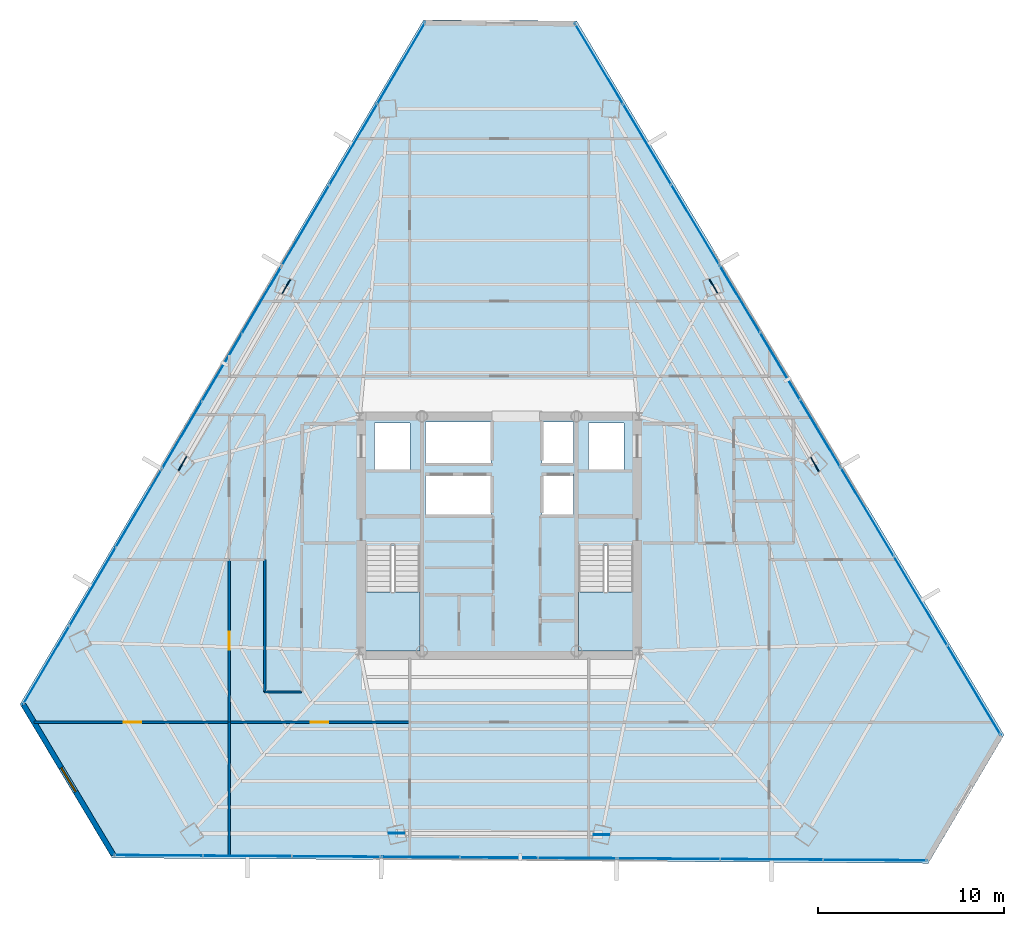
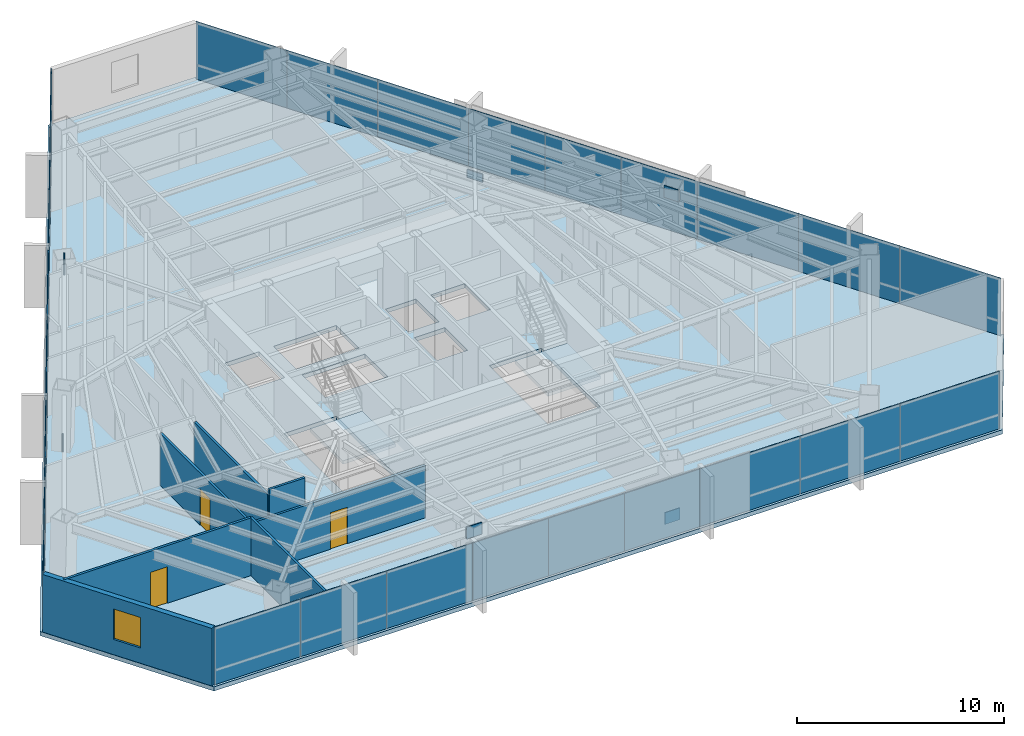
# One storey, part 34 of 41: 33 plates, 7 walls, 3 doors, 3 slabs, 1 window, 4 openings, 11 elements without a shape of their own.
"""IFC4 building model written with IfcOpenShell, lengths in metres."""

from ifc_helpers import new_model, si_unit, direction, frame, frame_2d, origin, origin_2d, place, context, subcontext, project, spatial, polyline, rectangle, outline, extrude, source, transform, mapped, material, layer, layer_set, type_object, type_shapes, element, fill, aggregate, save


model = new_model("IFC4")

# Units and contexts
model_context = context("Model", 3, precision=1e-05, world=origin(), true_north=direction((0.0, 1.0)))
body_context = subcontext(model_context, "Body", "Model", "MODEL_VIEW")
ifc_project = project(units=[si_unit("LENGTHUNIT", "METRE"), si_unit("AREAUNIT", "SQUARE_METRE"), si_unit("VOLUMEUNIT", "CUBIC_METRE"), si_unit("PLANEANGLEUNIT", "RADIAN"), si_unit("MASSUNIT", "GRAM", prefix="KILO")], contexts=[model_context])

# Site, building, storey
site_placement = place(None, origin())
site = spatial("IfcSite", under=ifc_project, at=site_placement, CompositionType="ELEMENT")
building_placement = place(site_placement, origin())
building = spatial("IfcBuilding", under=site, at=building_placement, Name="Caelisora Broadcast Tower", CompositionType="ELEMENT")
storey_placement = place(building_placement, frame((0.0, 0.0, 165.800048828125)))
storey = spatial("IfcBuildingStorey", under=building, at=storey_placement, Name="L43", CompositionType="ELEMENT", Elevation=165.800048828125)

# Slab
ifc_material_1 = material(Name="Concrete 40 MPa (AS 3600 N40)", Category="concrete")
ifc_layer_1 = layer(ifc_material_1, 0.25, Name="Concrete 40 MPa (AS 3600 N40)")
ifc_layer_set_1 = layer_set([ifc_layer_1], Name="Concrete 40 MPa (AS 3600 N40)")
slab_type_1 = type_object("IfcSlabType", Name="SL04", PredefinedType="FLOOR", material=ifc_layer_set_1)
slab_1_placement = place(storey_placement, frame((0.0, 0.0, -0.25)))
element("IfcSlab", 1, at=slab_1_placement, inside=storey, type_object=slab_type_1, Name="L43 suspended floor SL04", PredefinedType="FLOOR", context=body_context, shape_type="SweptSolid", body=[
    extrude(outline(polyline([(42.158935546875, 51.236083984375), (33.93505859375, 51.2900390625), (12.263916015625, 14.5419921875), (17.205078125, 6.2890625), (61.0458984375, 6.0), (65.111083984375, 12.89404296875), (42.158935546875, 51.236083984375)]), holes=[polyline([(30.820068359375, 17.39990234375), (33.739990234375, 17.39990234375), (33.739990234375, 23.080078125), (30.820068359375, 23.080078125), (30.820068359375, 17.39990234375)]), polyline([(42.260009765625, 17.39990234375), (45.179931640625, 17.39990234375), (45.179931640625, 23.080078125), (42.260009765625, 23.080078125), (42.260009765625, 17.39990234375)]), polyline([(42.800048828125, 27.14990234375), (44.699951171875, 27.14990234375), (44.699951171875, 29.64990234375), (42.800048828125, 29.64990234375), (42.800048828125, 27.14990234375)]), polyline([(40.300048828125, 24.719970703125), (42.0, 24.719970703125), (42.0, 26.919921875), (40.300048828125, 26.919921875), (40.300048828125, 24.719970703125)]), polyline([(40.300048828125, 27.5), (42.0, 27.5), (42.0, 29.699951171875), (40.300048828125, 29.699951171875), (40.300048828125, 27.5)]), polyline([(34.050048828125, 24.719970703125), (37.550048828125, 24.719970703125), (37.550048828125, 26.919921875), (34.050048828125, 26.919921875), (34.050048828125, 24.719970703125)]), polyline([(34.050048828125, 27.5), (37.550048828125, 27.5), (37.550048828125, 29.699951171875), (34.050048828125, 29.699951171875), (34.050048828125, 27.5)]), polyline([(31.300048828125, 27.14990234375), (33.199951171875, 27.14990234375), (33.199951171875, 29.64990234375), (31.300048828125, 29.64990234375), (31.300048828125, 27.14990234375)])]), origin(), (0.0, 0.0, 1.0), 0.25),
])

# Stair, slab
stair_type_1 = type_object("IfcStairType", Name="ST-1", PredefinedType="HALF_TURN_STAIR", material=ifc_material_1)
stair_1_placement = place(storey_placement, origin())
stair_1 = element("IfcStair", 2, at=stair_1_placement, inside=storey, type_object=stair_type_1, Name="L43 West Fire-Isolated Tower Stair", PredefinedType="HALF_TURN_STAIR")
ifc_layer_2 = layer(ifc_material_1, 0.199951171875, Name="Concrete 40 MPa (AS 3600 N40)")
ifc_layer_set_2 = layer_set([ifc_layer_2], Name="Concrete 40 MPa (AS 3600 N40)")
slab_type_2 = type_object("IfcSlabType", Name="STL-1", PredefinedType="LANDING", material=ifc_layer_set_2)
slab_2_placement = place(storey_placement, frame((0.0, 0.0, 1.625)))
slab_2 = element("IfcSlab", 3, at=slab_2_placement, type_object=slab_type_2, Name="ST-1 landing 1", PredefinedType="LANDING", context=body_context, shape_type="SweptSolid", body=[
    extrude(outline(polyline([(30.820068359375, 20.580078125), (30.820068359375, 17.39990234375), (33.739990234375, 17.39990234375), (33.739990234375, 20.580078125), (30.820068359375, 20.580078125)])), origin(), (0.0, 0.0, 1.0), 0.199951171875),
])
aggregate(stair_1, [slab_2])

stair_type_2 = type_object("IfcStairType", Name="ST-2", PredefinedType="HALF_TURN_STAIR", material=ifc_material_1)
stair_2_placement = place(storey_placement, origin())
stair_2 = element("IfcStair", 4, at=stair_2_placement, inside=storey, type_object=stair_type_2, Name="L43 East Fire-Isolated Tower Stair", PredefinedType="HALF_TURN_STAIR")
slab_3_placement = place(storey_placement, frame((0.0, 0.0, 1.625)))
slab_3 = element("IfcSlab", 5, at=slab_3_placement, type_object=slab_type_2, Name="ST-2 landing 1", PredefinedType="LANDING", context=body_context, shape_type="SweptSolid", body=[
    extrude(outline(polyline([(42.260009765625, 20.580078125), (42.260009765625, 17.39990234375), (45.179931640625, 17.39990234375), (45.179931640625, 20.580078125), (42.260009765625, 20.580078125)])), origin(), (0.0, 0.0, 1.0), 0.199951171875),
])
aggregate(stair_2, [slab_3])

# Plates
ifc_material_2 = material(Name="Steel Grade 350 L15 (AS/NZS 3678)", Category="steel")
ifc_layer_3 = layer(ifc_material_2, 0.050048828125, Name="Steel Grade 350 L15 (AS/NZS 3678)")
ifc_layer_set_3 = layer_set([ifc_layer_3], Name="Steel Grade 350 L15 (AS/NZS 3678)")
plate_type_1 = type_object("IfcPlateType", Name="GP03", PredefinedType="USERDEFINED", material=ifc_layer_set_3)
shared_shape_1 = source(origin(), body_context, "Body", "SweptSolid", [
    extrude(rectangle(XDim=0.85009765625, YDim=0.050048828125, at=origin_2d()), origin(), (0.0, 0.0, 1.0), 0.699951171875),
])
type_shapes(plate_type_1, [shared_shape_1])
for number, where, z_axis, x_axis, name in (
    (6, (26.562744140625, 36.970703125, 2.72998046875), (0.0, 0.0, 1.0), (-0.5, -0.866025403784, 0.0), "L43 gusset plate GP03 (ND-L43-C02T)"),
    (7, (20.993896484375, 27.469970703125, -0.22998046875), (0.0, 0.0, 1.0), (-0.5, -0.866025403784, 0.0), "L43 gusset plate GP03 (ND-L43-C03B)"),
    (8, (32.485595703125, 7.609619140625, 2.72998046875), (0.0, 0.0, 1.0), (1.0, 0.0, 0.0), "L43 gusset plate GP03 (ND-L43-C06T)"),
    (9, (43.497802734375, 7.537353515625, -0.22998046875), (0.0, 0.0, 1.0), (1.0, 0.0, 0.0), "L43 gusset plate GP03 (ND-L43-C07B)"),
    (10, (54.95166015625, 27.419677734375, 2.72998046875), (0.0, 0.0, 1.0), (-0.5, 0.866025403784, 0.0), "L43 gusset plate GP03 (ND-L43-C10T)"),
    (11, (49.508056640625, 36.99267578125, -0.22998046875), (0.0, 0.0, 1.0), (-0.5, 0.866025403784, 0.0), "L43 gusset plate GP03 (ND-L43-C11B)"),
):
    element("IfcPlate", number, at=place(storey_placement, frame(where, z_axis=z_axis, x_axis=x_axis)), inside=storey, type_object=plate_type_1, Name=name, ObjectType="GUSSET PLATE", PredefinedType="USERDEFINED", context=body_context, shape_type="MappedRepresentation", body=[
        mapped(shared_shape_1, transform((0.0, 0.0, 0.0), scale=1.0)),
    ])

# Curtain wall, plates
ifc_material_3 = material(Name="Unitised Aluminium and Low-E Glass Curtain Wall", Category="glass")
curtain_wall_type_1 = type_object("IfcCurtainWallType", Name="CW-Z3", PredefinedType="NOTDEFINED", material=ifc_material_3)
curtain_wall_1_placement = place(storey_placement, origin())
curtain_wall_1 = element("IfcCurtainWall", 12, at=curtain_wall_1_placement, inside=storey, type_object=curtain_wall_type_1, Name="L43 curtain wall CW-Z3", PredefinedType="NOTDEFINED")
ifc_material_4 = material(Name="Double Glazed Low-E Argon IGU", Category="glass")
ifc_layer_4 = layer(ifc_material_4, 0.031982421875, Name="Double Glazed Low-E Argon IGU")
ifc_layer_set_4 = layer_set([ifc_layer_4], Name="Double Glazed Low-E Argon IGU")
plate_type_2 = type_object("IfcPlateType", Name="CWP-04", PredefinedType="CURTAIN_PANEL", material=ifc_layer_set_4)
shared_shape_2 = source(origin(), body_context, "Body", "SweptSolid", [
    extrude(rectangle(XDim=5.027099609375, YDim=0.031982421875, at=origin_2d()), origin(), (0.0, 0.0, 1.0), 3.39990234375),
])
plate_1_placement = place(storey_placement, frame((43.364990234375, 48.930419921875, 0.0), z_axis=(0.0, 0.0, 1.0), x_axis=(0.513541252058, -0.858064905724, 0.0)))
plate_1 = element("IfcPlate", 13, at=plate_1_placement, type_object=plate_type_2, Name="L43-CW-B01 glazed panel #1", PredefinedType="CURTAIN_PANEL", context=body_context, shape_type="MappedRepresentation", body=[
    mapped(shared_shape_2, transform((0.0, 0.0, 0.0), scale=1.0)),
])
plate_2_placement = place(storey_placement, frame((45.947021484375, 44.61669921875, 0.0), z_axis=(0.0, 0.0, 1.0), x_axis=(0.513541252058, -0.858064905724, 0.0)))
plate_2 = element("IfcPlate", 14, at=plate_2_placement, type_object=plate_type_2, Name="L43-CW-B01 glazed panel #2", PredefinedType="CURTAIN_PANEL", context=body_context, shape_type="MappedRepresentation", body=[
    mapped(shared_shape_2, transform((0.0, 0.0, 0.0), scale=1.0)),
])
plate_3_placement = place(storey_placement, frame((48.529052734375, 40.303466796875, 0.0), z_axis=(0.0, 0.0, 1.0), x_axis=(0.513541252058, -0.858064905724, 0.0)))
plate_3 = element("IfcPlate", 15, at=plate_3_placement, type_object=plate_type_2, Name="L43-CW-B01 glazed panel #3", PredefinedType="CURTAIN_PANEL", context=body_context, shape_type="MappedRepresentation", body=[
    mapped(shared_shape_2, transform((0.0, 0.0, 0.0), scale=1.0)),
])
aggregate(curtain_wall_1, [plate_1, plate_2, plate_3])

ifc_material_5 = material(Name="Unitised Aluminium Insulated Shadow-Box Spandrel Curtain Wall", Category="aluminium")
curtain_wall_type_2 = type_object("IfcCurtainWallType", Name="CW-SP2", PredefinedType="NOTDEFINED", material=ifc_material_5)
curtain_wall_2_placement = place(storey_placement, origin())
curtain_wall_2 = element("IfcCurtainWall", 16, at=curtain_wall_2_placement, inside=storey, type_object=curtain_wall_type_2, Name="L43 curtain wall CW-SP2", PredefinedType="NOTDEFINED")
ifc_material_6 = material(Name="Insulated Terracotta Shadow-Box Spandrel Panel", Category="aluminium")
ifc_layer_5 = layer(ifc_material_6, 0.0439453125, Name="Insulated Terracotta Shadow-Box Spandrel Panel")
ifc_layer_set_5 = layer_set([ifc_layer_5], Name="Insulated Terracotta Shadow-Box Spandrel Panel")
plate_type_3 = type_object("IfcPlateType", Name="CWP-10", PredefinedType="CURTAIN_PANEL", material=ifc_layer_set_5)
shared_shape_3 = source(origin(), body_context, "Body", "SweptSolid", [
    extrude(rectangle(XDim=4.21142578125, YDim=0.0439453125, at=origin_2d()), origin(), (0.0, 0.0, 1.0), 3.39990234375),
])
plate_4_placement = place(storey_placement, frame((50.90673828125, 36.331298828125, 0.0), z_axis=(0.0, 0.0, 1.0), x_axis=(0.513541252058, -0.858064905724, 0.0)))
plate_4 = element("IfcPlate", 17, at=plate_4_placement, type_object=plate_type_3, Name="L43-CW-B02 spandrel panel #1", PredefinedType="CURTAIN_PANEL", context=body_context, shape_type="MappedRepresentation", body=[
    mapped(shared_shape_3, transform((0.0, 0.0, 0.0), scale=1.0)),
])
plate_5_placement = place(storey_placement, frame((53.06982421875, 32.7177734375, 0.0), z_axis=(0.0, 0.0, 1.0), x_axis=(0.513541252058, -0.858064905724, 0.0)))
plate_5 = element("IfcPlate", 18, at=plate_5_placement, type_object=plate_type_3, Name="L43-CW-B02 spandrel panel #2", PredefinedType="CURTAIN_PANEL", context=body_context, shape_type="MappedRepresentation", body=[
    mapped(shared_shape_3, transform((0.0, 0.0, 0.0), scale=1.0)),
])
plate_6_placement = place(storey_placement, frame((55.23291015625, 29.104248046875, 0.0), z_axis=(0.0, 0.0, 1.0), x_axis=(0.513541252058, -0.858064905724, 0.0)))
plate_6 = element("IfcPlate", 19, at=plate_6_placement, type_object=plate_type_3, Name="L43-CW-B02 spandrel panel #3", PredefinedType="CURTAIN_PANEL", context=body_context, shape_type="MappedRepresentation", body=[
    mapped(shared_shape_3, transform((0.0, 0.0, 0.0), scale=1.0)),
])
aggregate(curtain_wall_2, [plate_4, plate_5, plate_6])

curtain_wall_3_placement = place(storey_placement, origin())
curtain_wall_3 = element("IfcCurtainWall", 20, at=curtain_wall_3_placement, inside=storey, type_object=curtain_wall_type_1, Name="L43 curtain wall CW-Z3", PredefinedType="NOTDEFINED")
shared_shape_4 = source(origin(), body_context, "Body", "SweptSolid", [
    extrude(rectangle(XDim=5.5927734375, YDim=0.031982421875, at=origin_2d()), origin(), (0.0, 0.0, 1.0), 3.39990234375),
])
plate_7_placement = place(storey_placement, frame((57.755859375, 24.8896484375, 0.0), z_axis=(0.0, 0.0, 1.0), x_axis=(0.513541252058, -0.858064905724, 0.0)))
plate_7 = element("IfcPlate", 21, at=plate_7_placement, type_object=plate_type_2, Name="L43-CW-B03 glazed panel #1", PredefinedType="CURTAIN_PANEL", context=body_context, shape_type="MappedRepresentation", body=[
    mapped(shared_shape_4, transform((0.0, 0.0, 0.0), scale=1.0)),
])
plate_8_placement = place(storey_placement, frame((60.62841796875, 20.091064453125, 0.0), z_axis=(0.0, 0.0, 1.0), x_axis=(0.513541252058, -0.858064905724, 0.0)))
plate_8 = element("IfcPlate", 22, at=plate_8_placement, type_object=plate_type_2, Name="L43-CW-B03 glazed panel #2", PredefinedType="CURTAIN_PANEL", context=body_context, shape_type="MappedRepresentation", body=[
    mapped(shared_shape_4, transform((0.0, 0.0, 0.0), scale=1.0)),
])
plate_9_placement = place(storey_placement, frame((63.500732421875, 15.292236328125, 0.0), z_axis=(0.0, 0.0, 1.0), x_axis=(0.513541252058, -0.858064905724, 0.0)))
plate_9 = element("IfcPlate", 23, at=plate_9_placement, type_object=plate_type_2, Name="L43-CW-B03 glazed panel #3", PredefinedType="CURTAIN_PANEL", context=body_context, shape_type="MappedRepresentation", body=[
    mapped(shared_shape_4, transform((0.0, 0.0, 0.0), scale=1.0)),
])
aggregate(curtain_wall_3, [plate_7, plate_8, plate_9])

curtain_wall_4_placement = place(storey_placement, origin())
curtain_wall_4 = element("IfcCurtainWall", 24, at=curtain_wall_4_placement, inside=storey, type_object=curtain_wall_type_1, Name="L43 curtain wall CW-Z3", PredefinedType="NOTDEFINED")
shared_shape_5 = source(origin(), body_context, "Body", "SweptSolid", [
    extrude(rectangle(XDim=5.54736328125, YDim=0.031982421875, at=origin_2d()), origin(), (0.0, 0.0, 1.0), 3.39990234375),
])
plate_10_placement = place(storey_placement, frame((58.1875, 6.169189453125, 0.0), z_axis=(0.0, 0.0, 1.0), x_axis=(-0.999978006703, 0.006632202536, 0.0)))
plate_10 = element("IfcPlate", 25, at=plate_10_placement, type_object=plate_type_2, Name="L43-CW-B05 glazed panel #1", PredefinedType="CURTAIN_PANEL", context=body_context, shape_type="MappedRepresentation", body=[
    mapped(shared_shape_5, transform((0.0, 0.0, 0.0), scale=1.0)),
])
plate_11_placement = place(storey_placement, frame((52.640380859375, 6.205810546875, 0.0), z_axis=(0.0, 0.0, 1.0), x_axis=(-0.999978006703, 0.006632202536, 0.0)))
plate_11 = element("IfcPlate", 26, at=plate_11_placement, type_object=plate_type_2, Name="L43-CW-B05 glazed panel #2", PredefinedType="CURTAIN_PANEL", context=body_context, shape_type="MappedRepresentation", body=[
    mapped(shared_shape_5, transform((0.0, 0.0, 0.0), scale=1.0)),
])
plate_12_placement = place(storey_placement, frame((47.093017578125, 6.2421875, 0.0), z_axis=(0.0, 0.0, 1.0), x_axis=(-0.999978006703, 0.006632202536, 0.0)))
plate_12 = element("IfcPlate", 27, at=plate_12_placement, type_object=plate_type_2, Name="L43-CW-B05 glazed panel #3", PredefinedType="CURTAIN_PANEL", context=body_context, shape_type="MappedRepresentation", body=[
    mapped(shared_shape_5, transform((0.0, 0.0, 0.0), scale=1.0)),
])
aggregate(curtain_wall_4, [plate_10, plate_11, plate_12])

curtain_wall_5_placement = place(storey_placement, origin())
curtain_wall_5 = element("IfcCurtainWall", 28, at=curtain_wall_5_placement, inside=storey, type_object=curtain_wall_type_2, Name="L43 curtain wall CW-SP2", PredefinedType="NOTDEFINED")
shared_shape_6 = source(origin(), body_context, "Body", "SweptSolid", [
    extrude(rectangle(XDim=4.2119140625, YDim=0.0439453125, at=origin_2d()), origin(), (0.0, 0.0, 1.0), 3.39990234375),
])
type_shapes(plate_type_3, [shared_shape_3, shared_shape_6])
plate_13_placement = place(storey_placement, frame((42.20361328125, 6.2744140625, 0.0), z_axis=(0.0, 0.0, 1.0), x_axis=(-0.999978006703, 0.006632202536, 0.0)))
plate_13 = element("IfcPlate", 29, at=plate_13_placement, type_object=plate_type_3, Name="L43-CW-B06 spandrel panel #1", PredefinedType="CURTAIN_PANEL", context=body_context, shape_type="MappedRepresentation", body=[
    mapped(shared_shape_6, transform((0.0, 0.0, 0.0), scale=1.0)),
])
plate_14_placement = place(storey_placement, frame((37.991943359375, 6.302001953125, 0.0), z_axis=(0.0, 0.0, 1.0), x_axis=(-0.999978006703, 0.006632202536, 0.0)))
plate_14 = element("IfcPlate", 30, at=plate_14_placement, type_object=plate_type_3, Name="L43-CW-B06 spandrel panel #2", PredefinedType="CURTAIN_PANEL", context=body_context, shape_type="MappedRepresentation", body=[
    mapped(shared_shape_6, transform((0.0, 0.0, 0.0), scale=1.0)),
])
plate_15_placement = place(storey_placement, frame((33.780029296875, 6.32958984375, 0.0), z_axis=(0.0, 0.0, 1.0), x_axis=(-0.999978006703, 0.006632202536, 0.0)))
plate_15 = element("IfcPlate", 31, at=plate_15_placement, type_object=plate_type_3, Name="L43-CW-B06 spandrel panel #3", PredefinedType="CURTAIN_PANEL", context=body_context, shape_type="MappedRepresentation", body=[
    mapped(shared_shape_6, transform((0.0, 0.0, 0.0), scale=1.0)),
])
aggregate(curtain_wall_5, [plate_13, plate_14, plate_15])

curtain_wall_6_placement = place(storey_placement, origin())
curtain_wall_6 = element("IfcCurtainWall", 32, at=curtain_wall_6_placement, inside=storey, type_object=curtain_wall_type_2, Name="L43 curtain wall CW-SP2", PredefinedType="NOTDEFINED")
plate_16_placement = place(storey_placement, frame((20.955322265625, 28.985595703125, 0.0), z_axis=(0.0, 0.0, 1.0), x_axis=(0.507989441341, 0.861363295878, 0.0)))
plate_16 = element("IfcPlate", 33, at=plate_16_placement, type_object=plate_type_3, Name="L43-CW-B10 spandrel panel #1", PredefinedType="CURTAIN_PANEL", context=body_context, shape_type="MappedRepresentation", body=[
    mapped(shared_shape_6, transform((0.0, 0.0, 0.0), scale=1.0)),
])
plate_17_placement = place(storey_placement, frame((23.0947265625, 32.613525390625, 0.0), z_axis=(0.0, 0.0, 1.0), x_axis=(0.507989441341, 0.861363295878, 0.0)))
plate_17 = element("IfcPlate", 34, at=plate_17_placement, type_object=plate_type_3, Name="L43-CW-B10 spandrel panel #2", PredefinedType="CURTAIN_PANEL", context=body_context, shape_type="MappedRepresentation", body=[
    mapped(shared_shape_6, transform((0.0, 0.0, 0.0), scale=1.0)),
])
plate_18_placement = place(storey_placement, frame((25.234375, 36.241455078125, 0.0), z_axis=(0.0, 0.0, 1.0), x_axis=(0.507989441341, 0.861363295878, 0.0)))
plate_18 = element("IfcPlate", 35, at=plate_18_placement, type_object=plate_type_3, Name="L43-CW-B10 spandrel panel #3", PredefinedType="CURTAIN_PANEL", context=body_context, shape_type="MappedRepresentation", body=[
    mapped(shared_shape_6, transform((0.0, 0.0, 0.0), scale=1.0)),
])
aggregate(curtain_wall_6, [plate_16, plate_17, plate_18])

curtain_wall_7_placement = place(storey_placement, origin())
curtain_wall_7 = element("IfcCurtainWall", 36, at=curtain_wall_7_placement, inside=storey, type_object=curtain_wall_type_1, Name="L43 curtain wall CW-Z3", PredefinedType="NOTDEFINED")
shared_shape_7 = source(origin(), body_context, "Body", "SweptSolid", [
    extrude(rectangle(XDim=4.79150390625, YDim=0.031982421875, at=origin_2d()), origin(), (0.0, 0.0, 1.0), 3.39990234375),
])
plate_19_placement = place(storey_placement, frame((29.2685546875, 6.359375, 0.0), z_axis=(0.0, 0.0, 1.0), x_axis=(-0.999978006703, 0.006632202536, 0.0)))
plate_19 = element("IfcPlate", 37, at=plate_19_placement, type_object=plate_type_2, Name="L43-CW-B07 glazed panel #1", PredefinedType="CURTAIN_PANEL", context=body_context, shape_type="MappedRepresentation", body=[
    mapped(shared_shape_7, transform((0.0, 0.0, 0.0), scale=1.0)),
])
plate_20_placement = place(storey_placement, frame((24.47705078125, 6.390869140625, 0.0), z_axis=(0.0, 0.0, 1.0), x_axis=(-0.999978006703, 0.006632202536, 0.0)))
plate_20 = element("IfcPlate", 38, at=plate_20_placement, type_object=plate_type_2, Name="L43-CW-B07 glazed panel #2", PredefinedType="CURTAIN_PANEL", context=body_context, shape_type="MappedRepresentation", body=[
    mapped(shared_shape_7, transform((0.0, 0.0, 0.0), scale=1.0)),
])
plate_21_placement = place(storey_placement, frame((19.685791015625, 6.42236328125, 0.0), z_axis=(0.0, 0.0, 1.0), x_axis=(-0.999978006703, 0.006632202536, 0.0)))
plate_21 = element("IfcPlate", 39, at=plate_21_placement, type_object=plate_type_2, Name="L43-CW-B07 glazed panel #3", PredefinedType="CURTAIN_PANEL", context=body_context, shape_type="MappedRepresentation", body=[
    mapped(shared_shape_7, transform((0.0, 0.0, 0.0), scale=1.0)),
])
aggregate(curtain_wall_7, [plate_19, plate_20, plate_21])

curtain_wall_8_placement = place(storey_placement, origin())
curtain_wall_8 = element("IfcCurtainWall", 40, at=curtain_wall_8_placement, inside=storey, type_object=curtain_wall_type_1, Name="L43 curtain wall CW-Z3", PredefinedType="NOTDEFINED")
shared_shape_8 = source(origin(), body_context, "Body", "SweptSolid", [
    extrude(rectangle(XDim=4.8837890625, YDim=0.031982421875, at=origin_2d()), origin(), (0.0, 0.0, 1.0), 3.39990234375),
])
plate_22_placement = place(storey_placement, frame((13.678466796875, 16.646240234375, 0.0), z_axis=(0.0, 0.0, 1.0), x_axis=(0.507989441341, 0.861363295878, 0.0)))
plate_22 = element("IfcPlate", 41, at=plate_22_placement, type_object=plate_type_2, Name="L43-CW-B09 glazed panel #1", PredefinedType="CURTAIN_PANEL", context=body_context, shape_type="MappedRepresentation", body=[
    mapped(shared_shape_8, transform((0.0, 0.0, 0.0), scale=1.0)),
])
plate_23_placement = place(storey_placement, frame((16.1591796875, 20.85302734375, 0.0), z_axis=(0.0, 0.0, 1.0), x_axis=(0.507989441341, 0.861363295878, 0.0)))
plate_23 = element("IfcPlate", 42, at=plate_23_placement, type_object=plate_type_2, Name="L43-CW-B09 glazed panel #2", PredefinedType="CURTAIN_PANEL", context=body_context, shape_type="MappedRepresentation", body=[
    mapped(shared_shape_8, transform((0.0, 0.0, 0.0), scale=1.0)),
])
plate_24_placement = place(storey_placement, frame((18.64013671875, 25.059814453125, 0.0), z_axis=(0.0, 0.0, 1.0), x_axis=(0.507989441341, 0.861363295878, 0.0)))
plate_24 = element("IfcPlate", 43, at=plate_24_placement, type_object=plate_type_2, Name="L43-CW-B09 glazed panel #3", PredefinedType="CURTAIN_PANEL", context=body_context, shape_type="MappedRepresentation", body=[
    mapped(shared_shape_8, transform((0.0, 0.0, 0.0), scale=1.0)),
])
aggregate(curtain_wall_8, [plate_22, plate_23, plate_24])

curtain_wall_9_placement = place(storey_placement, origin())
curtain_wall_9 = element("IfcCurtainWall", 44, at=curtain_wall_9_placement, inside=storey, type_object=curtain_wall_type_1, Name="L43 curtain wall CW-Z3", PredefinedType="NOTDEFINED")
shared_shape_9 = source(origin(), body_context, "Body", "SweptSolid", [
    extrude(rectangle(XDim=5.059814453125, YDim=0.031982421875, at=origin_2d()), origin(), (0.0, 0.0, 1.0), 3.39990234375),
])
type_shapes(plate_type_2, [shared_shape_2, shared_shape_4, shared_shape_5, shared_shape_7, shared_shape_8, shared_shape_9])
plate_25_placement = place(storey_placement, frame((27.59423828125, 40.2431640625, 0.0), z_axis=(0.0, 0.0, 1.0), x_axis=(0.507989441341, 0.861363295878, 0.0)))
plate_25 = element("IfcPlate", 45, at=plate_25_placement, type_object=plate_type_2, Name="L43-CW-B11 glazed panel #1", PredefinedType="CURTAIN_PANEL", context=body_context, shape_type="MappedRepresentation", body=[
    mapped(shared_shape_9, transform((0.0, 0.0, 0.0), scale=1.0)),
])
plate_26_placement = place(storey_placement, frame((30.16455078125, 44.6015625, 0.0), z_axis=(0.0, 0.0, 1.0), x_axis=(0.507989441341, 0.861363295878, 0.0)))
plate_26 = element("IfcPlate", 46, at=plate_26_placement, type_object=plate_type_2, Name="L43-CW-B11 glazed panel #2", PredefinedType="CURTAIN_PANEL", context=body_context, shape_type="MappedRepresentation", body=[
    mapped(shared_shape_9, transform((0.0, 0.0, 0.0), scale=1.0)),
])
plate_27_placement = place(storey_placement, frame((32.73486328125, 48.959716796875, 0.0), z_axis=(0.0, 0.0, 1.0), x_axis=(0.507989441341, 0.861363295878, 0.0)))
plate_27 = element("IfcPlate", 47, at=plate_27_placement, type_object=plate_type_2, Name="L43-CW-B11 glazed panel #3", PredefinedType="CURTAIN_PANEL", context=body_context, shape_type="MappedRepresentation", body=[
    mapped(shared_shape_9, transform((0.0, 0.0, 0.0), scale=1.0)),
])
aggregate(curtain_wall_9, [plate_25, plate_26, plate_27])

# Wall, opening, window
ifc_material_7 = material(Name="Insulated Terracotta Spandrel Wall System", Category="masonry")
ifc_layer_6 = layer(ifc_material_7, 0.280029296875, Name="Insulated Terracotta Spandrel Wall System")
ifc_layer_set_6 = layer_set([ifc_layer_6], Name="Insulated Terracotta Spandrel Wall System")
wall_type_1 = type_object("IfcWallType", Name="EW1", PredefinedType="STANDARD", material=ifc_layer_set_6)
wall_1_placement = place(storey_placement, frame((17.274658203125, 6.463623046875, 0.0), z_axis=(0.0, 0.0, 1.0), x_axis=(-0.513638709895, 0.858006570894, 0.0)))
wall_1 = element("IfcWall", 48, at=wall_1_placement, inside=storey, type_object=wall_type_1, Name="L43 exterior envelope wall EW1", PredefinedType="STANDARD", context=body_context, shape_type="SweptSolid", body=[
    extrude(rectangle(XDim=9.386474609375, YDim=0.280029296875, at=frame_2d((4.693359375, 0.0))), origin(), (0.0, 0.0, 1.0), 3.39990234375),
])
opening_1_placement = place(wall_1_placement, frame((3.93994140625, 0.0, 0.89990234375)))
opening_1 = element("IfcOpeningElement", 49, at=opening_1_placement, cuts=wall_1, Name="Opening W02", PredefinedType="OPENING", context=body_context, shape_type="SweptSolid", body=[
    extrude(rectangle(XDim=1.5, YDim=1.800048828125, at=frame_2d((0.75, 0.89990234375))), frame((0.0, 0.152099609375, 0.0), z_axis=(0.0, -1.0, 0.0), x_axis=(1.0, 0.0, 0.0)), (0.0, 0.0, 1.0), 0.303955078125),
])
ifc_material_8 = material(Name="Double Glazed Terracotta-Framed Vision Window", Category="glass")
window_type = type_object("IfcWindowType", Name="W02", PartitioningType="SINGLE_PANEL", PredefinedType="WINDOW", material=ifc_material_8)
window_placement = place(opening_1_placement, origin())
window = element("IfcWindow", 50, at=window_placement, inside=storey, type_object=window_type, Name="L43 window W02 (L43-WN-CH4)", OverallHeight=1.800048828125, OverallWidth=1.5, PartitioningType="SINGLE_PANEL", PredefinedType="WINDOW", context=body_context, shape_type="SweptSolid", body=[
    extrude(rectangle(XDim=1.5, YDim=1.800048828125, at=frame_2d((0.75, 0.89990234375))), frame((0.0, 0.030029296875, 0.0), z_axis=(0.0, -1.0, 0.0), x_axis=(1.0, 0.0, 0.0)), (0.0, 0.0, 1.0), 0.06005859375),
])
fill(opening_1, window)

# Wall, opening, door
ifc_material_9 = material(Name="Acoustic Steel-Stud Plasterboard Partition", Category="gypsum")
ifc_layer_7 = layer(ifc_material_9, 0.1298828125, Name="Acoustic Steel-Stud Plasterboard Partition")
ifc_layer_set_7 = layer_set([ifc_layer_7], Name="Acoustic Steel-Stud Plasterboard Partition")
wall_type_2 = type_object("IfcWallType", Name="PW3", PredefinedType="PARTITIONING", material=ifc_layer_set_7)
wall_2_placement = place(storey_placement, frame((13.0087890625, 13.580078125, 0.0), z_axis=(0.0, 0.0, 1.0), x_axis=(1.0, 0.0, 0.0)))
wall_2 = element("IfcWall", 51, at=wall_2_placement, inside=storey, type_object=wall_type_2, Name="L43 internal partition PW3", PredefinedType="PARTITIONING", context=body_context, shape_type="SweptSolid", body=[
    extrude(rectangle(XDim=10.486328125, YDim=0.1298828125, at=frame_2d((5.2431640625, 0.0))), origin(), (0.0, 0.0, 1.0), 3.39990234375),
])
opening_2_placement = place(wall_2_placement, frame((4.818115234375, 0.0, 0.0)))
opening_2 = element("IfcOpeningElement", 52, at=opening_2_placement, cuts=wall_2, Name="Opening D01", PredefinedType="OPENING", context=body_context, shape_type="SweptSolid", body=[
    extrude(rectangle(XDim=0.9599609375, YDim=2.14990234375, at=frame_2d((0.47998046875, 1.074951171875))), frame((0.0, 0.076904296875, 0.0), z_axis=(0.0, -1.0, 0.0), x_axis=(1.0, 0.0, 0.0)), (0.0, 0.0, 1.0), 0.15380859375),
])
ifc_material_10 = material(Name="Solid-Core Timber Acoustic Office Door", Category="wood")
door_type = type_object("IfcDoorType", Name="D01", OperationType="NOTDEFINED", PredefinedType="DOOR", material=ifc_material_10)
door_1_placement = place(opening_2_placement, origin())
door_1 = element("IfcDoor", 53, at=door_1_placement, inside=storey, type_object=door_type, Name="L43 door D01 (L43-DR-P32D1)", OperationType="SINGLE_SWING_RIGHT", OverallHeight=2.14990234375, OverallWidth=0.9599609375, PredefinedType="DOOR", context=body_context, shape_type="SweptSolid", body=[
    extrude(rectangle(XDim=0.9599609375, YDim=2.14990234375, at=frame_2d((0.47998046875, 1.074951171875))), frame((0.0, 0.02490234375, 0.0), z_axis=(0.0, -1.0, 0.0), x_axis=(1.0, 0.0, 0.0)), (0.0, 0.0, 1.0), 0.050048828125),
])
fill(opening_2, door_1)

wall_3_placement = place(storey_placement, frame((23.5048828125, 13.580078125, 0.0), z_axis=(0.0, 0.0, 1.0), x_axis=(1.0, 0.0, 0.0)))
wall_3 = element("IfcWall", 54, at=wall_3_placement, inside=storey, type_object=wall_type_2, Name="L43 internal partition PW3", PredefinedType="PARTITIONING", context=body_context, shape_type="SweptSolid", body=[
    extrude(rectangle(XDim=9.690185546875, YDim=0.1298828125, at=frame_2d((4.84521484375, 0.0))), origin(), (0.0, 0.0, 1.0), 3.07763671875),
])
opening_3_placement = place(wall_3_placement, frame((4.364990234375, 0.0, 0.0)))
opening_3 = element("IfcOpeningElement", 55, at=opening_3_placement, cuts=wall_3, Name="Opening D01", PredefinedType="OPENING", context=body_context, shape_type="SweptSolid", body=[
    extrude(rectangle(XDim=0.9599609375, YDim=2.14990234375, at=frame_2d((0.47998046875, 1.074951171875))), frame((0.0, 0.076904296875, 0.0), z_axis=(0.0, -1.0, 0.0), x_axis=(1.0, 0.0, 0.0)), (0.0, 0.0, 1.0), 0.15380859375),
])
door_2_placement = place(opening_3_placement, origin())
door_2 = element("IfcDoor", 56, at=door_2_placement, inside=storey, type_object=door_type, Name="L43 door D01 (L43-DR-P36D1)", OperationType="SINGLE_SWING_LEFT", OverallHeight=2.14990234375, OverallWidth=0.9599609375, PredefinedType="DOOR", context=body_context, shape_type="SweptSolid", body=[
    extrude(rectangle(XDim=0.9599609375, YDim=2.14990234375, at=frame_2d((0.47998046875, 1.074951171875))), frame((0.0, 0.02490234375, 0.0), z_axis=(0.0, -1.0, 0.0), x_axis=(1.0, 0.0, 0.0)), (0.0, 0.0, 1.0), 0.050048828125),
])
fill(opening_3, door_2)

wall_4_placement = place(storey_placement, frame((23.5, 13.5849609375, 0.0), z_axis=(0.0, 0.0, 1.0), x_axis=(0.0, 1.0, 0.0)))
wall_4 = element("IfcWall", 57, at=wall_4_placement, inside=storey, type_object=wall_type_2, Name="L43 internal partition PW3", PredefinedType="PARTITIONING", context=body_context, shape_type="SweptSolid", body=[
    extrude(rectangle(XDim=8.719970703125, YDim=0.1298828125, at=frame_2d((4.35986328125, 0.0))), origin(), (0.0, 0.0, 1.0), 3.07763671875),
])
opening_4_placement = place(wall_4_placement, frame((3.8798828125, 0.0, 0.0)))
opening_4 = element("IfcOpeningElement", 58, at=opening_4_placement, cuts=wall_4, Name="Opening D01", PredefinedType="OPENING", context=body_context, shape_type="SweptSolid", body=[
    extrude(rectangle(XDim=0.9599609375, YDim=2.14990234375, at=frame_2d((0.47998046875, 1.074951171875))), frame((0.0, 0.076904296875, 0.0), z_axis=(0.0, -1.0, 0.0), x_axis=(1.0, 0.0, 0.0)), (0.0, 0.0, 1.0), 0.15380859375),
])
door_3_placement = place(opening_4_placement, origin())
door_3 = element("IfcDoor", 59, at=door_3_placement, inside=storey, type_object=door_type, Name="L43 door D01 (L43-DR-P42D1)", OperationType="SINGLE_SWING_LEFT", OverallHeight=2.14990234375, OverallWidth=0.9599609375, PredefinedType="DOOR", context=body_context, shape_type="SweptSolid", body=[
    extrude(rectangle(XDim=0.9599609375, YDim=2.14990234375, at=frame_2d((0.47998046875, 1.074951171875))), frame((0.0, 0.02490234375, 0.0), z_axis=(0.0, -1.0, 0.0), x_axis=(1.0, 0.0, 0.0)), (0.0, 0.0, 1.0), 0.050048828125),
])
fill(opening_4, door_3)

# Walls
wall_5_placement = place(storey_placement, frame((23.5, 6.392578125, 0.0), z_axis=(0.0, 0.0, 1.0), x_axis=(0.0, 1.0, 0.0)))
element("IfcWall", 60, at=wall_5_placement, inside=storey, type_object=wall_type_2, Name="L43 internal partition PW3", PredefinedType="PARTITIONING", context=body_context, shape_type="SweptSolid", body=[
    extrude(rectangle(XDim=7.182373046875, YDim=0.1298828125, at=frame_2d((3.59130859375, 0.0))), origin(), (0.0, 0.0, 1.0), 3.39990234375),
])
wall_6_placement = place(storey_placement, frame((25.39990234375, 22.304931640625, 0.0), z_axis=(0.0, 0.0, 1.0), x_axis=(0.0, -1.0, 0.0)))
element("IfcWall", 61, at=wall_6_placement, inside=storey, type_object=wall_type_2, Name="L43 internal partition PW3", PredefinedType="PARTITIONING", context=body_context, shape_type="SweptSolid", body=[
    extrude(rectangle(XDim=7.099853515625, YDim=0.1298828125, at=frame_2d((3.5498046875, 0.0))), origin(), (0.0, 0.0, 1.0), 3.07763671875),
])
wall_7_placement = place(storey_placement, frame((25.405029296875, 15.199951171875, 0.0), z_axis=(0.0, 0.0, 1.0), x_axis=(1.0, 0.0, 0.0)))
element("IfcWall", 62, at=wall_7_placement, inside=storey, type_object=wall_type_2, Name="L43 internal partition PW3", PredefinedType="PARTITIONING", context=body_context, shape_type="SweptSolid", body=[
    extrude(rectangle(XDim=1.989990234375, YDim=0.1298828125, at=frame_2d((0.9951171875, 0.0))), origin(), (0.0, 0.0, 1.0), 3.39990234375),
])

save(model, "model.ifc")
